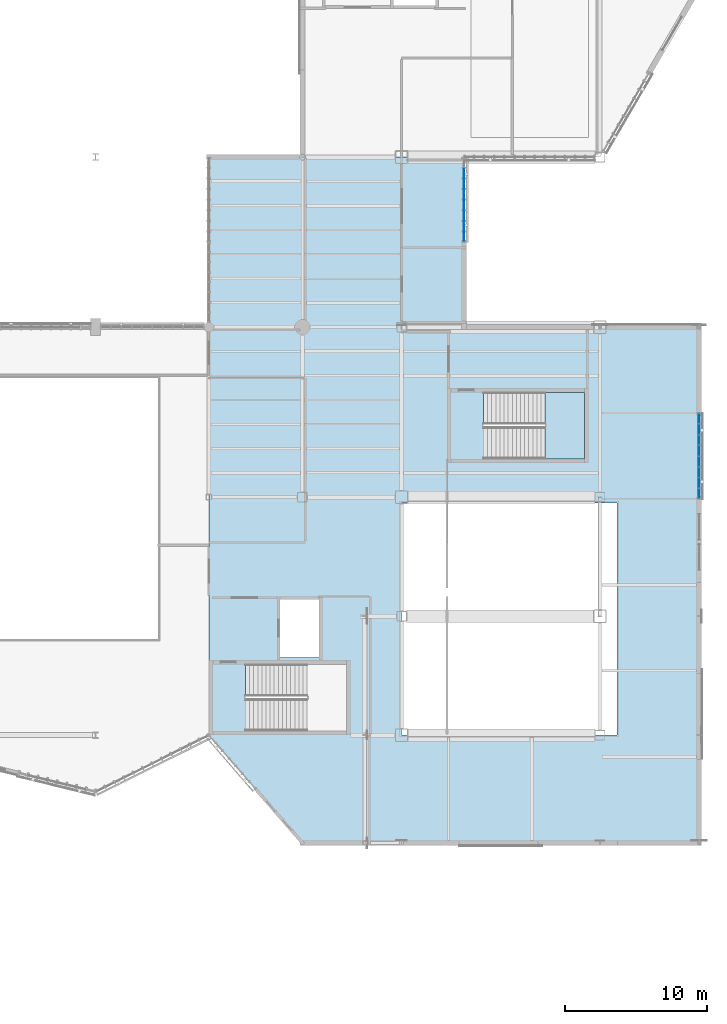
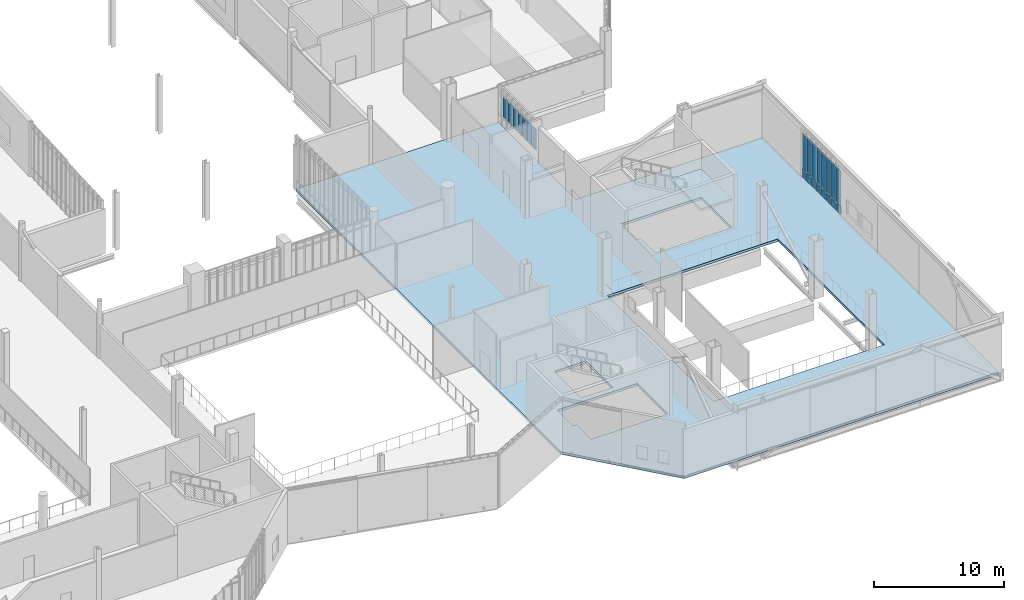
# One storey, part 76 of 127: 23 plates, 2 slabs, 3 elements without a shape of their own.
"""IFC4 building model written with IfcOpenShell, lengths in metres."""

from ifc_helpers import new_model, si_unit, direction, frame, origin, origin_2d, place, context, subcontext, project, spatial, polyline, rectangle, outline, extrude, material, layer, layer_set, type_object, element, aggregate, save


model = new_model("IFC4")

# Units and contexts
model_context = context("Model", 3, precision=1e-05, world=origin(), true_north=direction((0.0, 1.0)))
body_context = subcontext(model_context, "Body", "Model", "MODEL_VIEW")
ifc_project = project(units=[si_unit("LENGTHUNIT", "METRE"), si_unit("AREAUNIT", "SQUARE_METRE"), si_unit("VOLUMEUNIT", "CUBIC_METRE"), si_unit("PLANEANGLEUNIT", "RADIAN"), si_unit("MASSUNIT", "GRAM", prefix="KILO")], contexts=[model_context])

# Site, building, storey
site_placement = place(None, origin())
site = spatial("IfcSite", under=ifc_project, at=site_placement, CompositionType="ELEMENT")
building_placement = place(site_placement, origin())
building = spatial("IfcBuilding", under=site, at=building_placement, Name="Larkvane Passage Sports Hall", CompositionType="ELEMENT")
storey_placement = place(building_placement, frame((0.0, 0.0, 5.39990234375)))
storey = spatial("IfcBuildingStorey", under=building, at=storey_placement, Name="L01", CompositionType="ELEMENT", Elevation=5.39990234375)

# Curtain wall, plates
ifc_material_1 = material(Name="Thermally broken aluminium and low-E glazing", Category="aluminium")
curtain_wall_type_1 = type_object("IfcCurtainWallType", Name="CW-UNIT-COURT", PredefinedType="USERDEFINED", material=ifc_material_1)
curtain_wall_1_placement = place(storey_placement, origin())
curtain_wall_1 = element("IfcCurtainWall", 1, at=curtain_wall_1_placement, inside=storey, type_object=curtain_wall_type_1, Name="Curtain wall CW5-L01-060", ObjectType="UNITISED CURTAIN WALL", PredefinedType="USERDEFINED")
ifc_material_2 = material(Name="Insulated aluminium spandrel panel", Category="aluminium")
ifc_layer_1 = layer(ifc_material_2, 0.06494140625)
ifc_layer_set_1 = layer_set([ifc_layer_1], Name="Insulated aluminium spandrel panel")
plate_type_1 = type_object("IfcPlateType", Name="CWP-SPD-65", PredefinedType="CURTAIN_PANEL", material=ifc_layer_set_1)
plate_1_placement = place(storey_placement, frame((152.60009765625, 45.13916015625, 0.06005859375), z_axis=(0.0, 0.0, 1.0), x_axis=(0.0, -1.0, 0.0)))
plate_1 = element("IfcPlate", 2, at=plate_1_placement, type_object=plate_type_1, Name="CW-01 panel 1.1", PredefinedType="CURTAIN_PANEL", context=body_context, shape_type="SweptSolid", body=[
    extrude(rectangle(XDim=0.668212890625, YDim=0.06494140625, at=origin_2d()), origin(), (0.0, 0.0, 1.0), 0.760009765625),
])
plate_2_placement = place(storey_placement, frame((152.60009765625, 44.395751953125, 0.06005859375), z_axis=(0.0, 0.0, 1.0), x_axis=(0.0, -1.0, 0.0)))
plate_2 = element("IfcPlate", 3, at=plate_2_placement, type_object=plate_type_1, Name="CW-01 panel 2.1", PredefinedType="CURTAIN_PANEL", context=body_context, shape_type="SweptSolid", body=[
    extrude(rectangle(XDim=0.6982421875, YDim=0.06494140625, at=origin_2d()), origin(), (0.0, 0.0, 1.0), 0.760009765625),
])
plate_3_placement = place(storey_placement, frame((152.60009765625, 43.637451171875, 0.06005859375), z_axis=(0.0, 0.0, 1.0), x_axis=(0.0, -1.0, 0.0)))
plate_3 = element("IfcPlate", 4, at=plate_3_placement, type_object=plate_type_1, Name="CW-01 panel 3.1", PredefinedType="CURTAIN_PANEL", context=body_context, shape_type="SweptSolid", body=[
    extrude(rectangle(XDim=0.6982421875, YDim=0.06494140625, at=origin_2d()), origin(), (0.0, 0.0, 1.0), 0.760009765625),
])
plate_4_placement = place(storey_placement, frame((152.60009765625, 42.879150390625, 0.06005859375), z_axis=(0.0, 0.0, 1.0), x_axis=(0.0, -1.0, 0.0)))
plate_4 = element("IfcPlate", 5, at=plate_4_placement, type_object=plate_type_1, Name="CW-01 panel 4.1", PredefinedType="CURTAIN_PANEL", context=body_context, shape_type="SweptSolid", body=[
    extrude(rectangle(XDim=0.6982421875, YDim=0.06494140625, at=origin_2d()), origin(), (0.0, 0.0, 1.0), 0.760009765625),
])
plate_5_placement = place(storey_placement, frame((152.60009765625, 42.120849609375, 0.06005859375), z_axis=(0.0, 0.0, 1.0), x_axis=(0.0, -1.0, 0.0)))
plate_5 = element("IfcPlate", 6, at=plate_5_placement, type_object=plate_type_1, Name="CW-01 panel 5.1", PredefinedType="CURTAIN_PANEL", context=body_context, shape_type="SweptSolid", body=[
    extrude(rectangle(XDim=0.6982421875, YDim=0.06494140625, at=origin_2d()), origin(), (0.0, 0.0, 1.0), 0.760009765625),
])
plate_6_placement = place(storey_placement, frame((152.60009765625, 41.362548828125, 0.06005859375), z_axis=(0.0, 0.0, 1.0), x_axis=(0.0, -1.0, 0.0)))
plate_6 = element("IfcPlate", 7, at=plate_6_placement, type_object=plate_type_1, Name="CW-01 panel 6.1", PredefinedType="CURTAIN_PANEL", context=body_context, shape_type="SweptSolid", body=[
    extrude(rectangle(XDim=0.6982421875, YDim=0.06494140625, at=origin_2d()), origin(), (0.0, 0.0, 1.0), 0.760009765625),
])
plate_7_placement = place(storey_placement, frame((152.60009765625, 40.604248046875, 0.06005859375), z_axis=(0.0, 0.0, 1.0), x_axis=(0.0, -1.0, 0.0)))
plate_7 = element("IfcPlate", 8, at=plate_7_placement, type_object=plate_type_1, Name="CW-01 panel 7.1", PredefinedType="CURTAIN_PANEL", context=body_context, shape_type="SweptSolid", body=[
    extrude(rectangle(XDim=0.6982421875, YDim=0.06494140625, at=origin_2d()), origin(), (0.0, 0.0, 1.0), 0.760009765625),
])
plate_8_placement = place(storey_placement, frame((152.60009765625, 39.86083984375, 0.06005859375), z_axis=(0.0, 0.0, 1.0), x_axis=(0.0, -1.0, 0.0)))
plate_8 = element("IfcPlate", 9, at=plate_8_placement, type_object=plate_type_1, Name="CW-01 panel 8.1", PredefinedType="CURTAIN_PANEL", context=body_context, shape_type="SweptSolid", body=[
    extrude(rectangle(XDim=0.668212890625, YDim=0.06494140625, at=origin_2d()), origin(), (0.0, 0.0, 1.0), 0.760009765625),
])
ifc_material_3 = material(Name="Solar-control low-E double glazing", Category="glass")
ifc_layer_2 = layer(ifc_material_3, 0.028076171875)
ifc_layer_set_2 = layer_set([ifc_layer_2], Name="Solar-control low-E double glazing")
plate_type_2 = type_object("IfcPlateType", Name="CWP-VIS-28", PredefinedType="CURTAIN_PANEL", material=ifc_layer_set_2)
plate_9_placement = place(storey_placement, frame((152.60009765625, 45.13916015625, 0.880126953125), z_axis=(0.0, 0.0, 1.0), x_axis=(0.0, -1.0, 0.0)))
plate_9 = element("IfcPlate", 10, at=plate_9_placement, type_object=plate_type_2, Name="CW-01 panel 1.2", PredefinedType="CURTAIN_PANEL", context=body_context, shape_type="SweptSolid", body=[
    extrude(rectangle(XDim=0.668212890625, YDim=0.028076171875, at=origin_2d()), origin(), (0.0, 0.0, 1.0), 3.2880859375),
])
plate_10_placement = place(storey_placement, frame((152.60009765625, 44.395751953125, 0.880126953125), z_axis=(0.0, 0.0, 1.0), x_axis=(0.0, -1.0, 0.0)))
plate_10 = element("IfcPlate", 11, at=plate_10_placement, type_object=plate_type_2, Name="CW-01 panel 2.2", PredefinedType="CURTAIN_PANEL", context=body_context, shape_type="SweptSolid", body=[
    extrude(rectangle(XDim=0.6982421875, YDim=0.028076171875, at=origin_2d()), origin(), (0.0, 0.0, 1.0), 3.2880859375),
])
plate_11_placement = place(storey_placement, frame((152.60009765625, 43.637451171875, 0.880126953125), z_axis=(0.0, 0.0, 1.0), x_axis=(0.0, -1.0, 0.0)))
plate_11 = element("IfcPlate", 12, at=plate_11_placement, type_object=plate_type_2, Name="CW-01 panel 3.2", PredefinedType="CURTAIN_PANEL", context=body_context, shape_type="SweptSolid", body=[
    extrude(rectangle(XDim=0.6982421875, YDim=0.028076171875, at=origin_2d()), origin(), (0.0, 0.0, 1.0), 3.2880859375),
])
plate_12_placement = place(storey_placement, frame((152.60009765625, 42.879150390625, 0.880126953125), z_axis=(0.0, 0.0, 1.0), x_axis=(0.0, -1.0, 0.0)))
plate_12 = element("IfcPlate", 13, at=plate_12_placement, type_object=plate_type_2, Name="CW-01 panel 4.2", PredefinedType="CURTAIN_PANEL", context=body_context, shape_type="SweptSolid", body=[
    extrude(rectangle(XDim=0.6982421875, YDim=0.028076171875, at=origin_2d()), origin(), (0.0, 0.0, 1.0), 3.2880859375),
])
plate_13_placement = place(storey_placement, frame((152.60009765625, 42.120849609375, 0.880126953125), z_axis=(0.0, 0.0, 1.0), x_axis=(0.0, -1.0, 0.0)))
plate_13 = element("IfcPlate", 14, at=plate_13_placement, type_object=plate_type_2, Name="CW-01 panel 5.2", PredefinedType="CURTAIN_PANEL", context=body_context, shape_type="SweptSolid", body=[
    extrude(rectangle(XDim=0.6982421875, YDim=0.028076171875, at=origin_2d()), origin(), (0.0, 0.0, 1.0), 3.2880859375),
])
plate_14_placement = place(storey_placement, frame((152.60009765625, 41.362548828125, 0.880126953125), z_axis=(0.0, 0.0, 1.0), x_axis=(0.0, -1.0, 0.0)))
plate_14 = element("IfcPlate", 15, at=plate_14_placement, type_object=plate_type_2, Name="CW-01 panel 6.2", PredefinedType="CURTAIN_PANEL", context=body_context, shape_type="SweptSolid", body=[
    extrude(rectangle(XDim=0.6982421875, YDim=0.028076171875, at=origin_2d()), origin(), (0.0, 0.0, 1.0), 3.2880859375),
])
plate_15_placement = place(storey_placement, frame((152.60009765625, 40.604248046875, 0.880126953125), z_axis=(0.0, 0.0, 1.0), x_axis=(0.0, -1.0, 0.0)))
plate_15 = element("IfcPlate", 16, at=plate_15_placement, type_object=plate_type_2, Name="CW-01 panel 7.2", PredefinedType="CURTAIN_PANEL", context=body_context, shape_type="SweptSolid", body=[
    extrude(rectangle(XDim=0.6982421875, YDim=0.028076171875, at=origin_2d()), origin(), (0.0, 0.0, 1.0), 3.2880859375),
])
plate_16_placement = place(storey_placement, frame((152.60009765625, 39.86083984375, 0.880126953125), z_axis=(0.0, 0.0, 1.0), x_axis=(0.0, -1.0, 0.0)))
plate_16 = element("IfcPlate", 17, at=plate_16_placement, type_object=plate_type_2, Name="CW-01 panel 8.2", PredefinedType="CURTAIN_PANEL", context=body_context, shape_type="SweptSolid", body=[
    extrude(rectangle(XDim=0.668212890625, YDim=0.028076171875, at=origin_2d()), origin(), (0.0, 0.0, 1.0), 3.2880859375),
])
aggregate(curtain_wall_1, [plate_1, plate_9, plate_2, plate_10, plate_3, plate_11, plate_4, plate_12, plate_5, plate_13, plate_6, plate_14, plate_7, plate_15, plate_8, plate_16])

curtain_wall_type_2 = type_object("IfcCurtainWallType", Name="CW-CLINIC", PredefinedType="USERDEFINED", material=ifc_material_1)
curtain_wall_2_placement = place(storey_placement, origin())
curtain_wall_2 = element("IfcCurtainWall", 18, at=curtain_wall_2_placement, inside=storey, type_object=curtain_wall_type_2, Name="Curtain wall CW5-L01-059", ObjectType="UNITISED CURTAIN WALL", PredefinedType="USERDEFINED")
ifc_material_4 = material(Name="Triple-laminated typhoon glazing", Category="glass")
ifc_layer_3 = layer(ifc_material_4, 0.0419921875)
ifc_layer_set_3 = layer_set([ifc_layer_3], Name="Triple-laminated typhoon glazing")
plate_type_3 = type_object("IfcPlateType", Name="CWP-VIS-42", PredefinedType="CURTAIN_PANEL", material=ifc_layer_set_3)
plate_17_placement = place(storey_placement, frame((136.0, 62.47509765625, 0.89990234375), z_axis=(0.0, 0.0, 1.0), x_axis=(0.0, -1.0, 0.0)))
plate_17 = element("IfcPlate", 19, at=plate_17_placement, type_object=plate_type_3, Name="CW-05 panel 2.2", PredefinedType="CURTAIN_PANEL", context=body_context, shape_type="SweptSolid", body=[
    extrude(rectangle(XDim=0.64990234375, YDim=0.0419921875, at=origin_2d()), origin(), (0.0, 0.0, 1.0), 1.968017578125),
])
plate_18_placement = place(storey_placement, frame((136.0, 61.72509765625, 0.89990234375), z_axis=(0.0, 0.0, 1.0), x_axis=(0.0, -1.0, 0.0)))
plate_18 = element("IfcPlate", 20, at=plate_18_placement, type_object=plate_type_3, Name="CW-05 panel 3.2", PredefinedType="CURTAIN_PANEL", context=body_context, shape_type="SweptSolid", body=[
    extrude(rectangle(XDim=0.64990234375, YDim=0.0419921875, at=origin_2d()), origin(), (0.0, 0.0, 1.0), 1.968017578125),
])
plate_19_placement = place(storey_placement, frame((136.0, 60.97509765625, 0.89990234375), z_axis=(0.0, 0.0, 1.0), x_axis=(0.0, -1.0, 0.0)))
plate_19 = element("IfcPlate", 21, at=plate_19_placement, type_object=plate_type_3, Name="CW-05 panel 4.2", PredefinedType="CURTAIN_PANEL", context=body_context, shape_type="SweptSolid", body=[
    extrude(rectangle(XDim=0.64990234375, YDim=0.0419921875, at=origin_2d()), origin(), (0.0, 0.0, 1.0), 1.968017578125),
])
plate_20_placement = place(storey_placement, frame((136.0, 60.22509765625, 0.89990234375), z_axis=(0.0, 0.0, 1.0), x_axis=(0.0, -1.0, 0.0)))
plate_20 = element("IfcPlate", 22, at=plate_20_placement, type_object=plate_type_3, Name="CW-05 panel 5.2", PredefinedType="CURTAIN_PANEL", context=body_context, shape_type="SweptSolid", body=[
    extrude(rectangle(XDim=0.64990234375, YDim=0.0419921875, at=origin_2d()), origin(), (0.0, 0.0, 1.0), 1.968017578125),
])
plate_21_placement = place(storey_placement, frame((136.0, 59.47509765625, 0.89990234375), z_axis=(0.0, 0.0, 1.0), x_axis=(0.0, -1.0, 0.0)))
plate_21 = element("IfcPlate", 23, at=plate_21_placement, type_object=plate_type_3, Name="CW-05 panel 6.2", PredefinedType="CURTAIN_PANEL", context=body_context, shape_type="SweptSolid", body=[
    extrude(rectangle(XDim=0.64990234375, YDim=0.0419921875, at=origin_2d()), origin(), (0.0, 0.0, 1.0), 1.968017578125),
])
plate_22_placement = place(storey_placement, frame((136.0, 58.72509765625, 0.89990234375), z_axis=(0.0, 0.0, 1.0), x_axis=(0.0, -1.0, 0.0)))
plate_22 = element("IfcPlate", 24, at=plate_22_placement, type_object=plate_type_3, Name="CW-05 panel 7.2", PredefinedType="CURTAIN_PANEL", context=body_context, shape_type="SweptSolid", body=[
    extrude(rectangle(XDim=0.64990234375, YDim=0.0419921875, at=origin_2d()), origin(), (0.0, 0.0, 1.0), 1.968017578125),
])
plate_23_placement = place(storey_placement, frame((136.0, 58.0, 0.89990234375), z_axis=(0.0, 0.0, 1.0), x_axis=(0.0, -1.0, 0.0)))
plate_23 = element("IfcPlate", 25, at=plate_23_placement, type_object=plate_type_3, Name="CW-05 panel 8.2", PredefinedType="CURTAIN_PANEL", context=body_context, shape_type="SweptSolid", body=[
    extrude(rectangle(XDim=0.60009765625, YDim=0.0419921875, at=origin_2d()), origin(), (0.0, 0.0, 1.0), 1.968017578125),
])
aggregate(curtain_wall_2, [plate_17, plate_18, plate_19, plate_20, plate_21, plate_22, plate_23])

# Slab
ifc_material_5 = material(Name="Concrete C40/50", Category="concrete")
ifc_layer_4 = layer(ifc_material_5, 0.22998046875)
ifc_layer_set_4 = layer_set([ifc_layer_4], Name="Concrete C40/50")
slab_type_1 = type_object("IfcSlabType", Name="SLB-FLR-230", PredefinedType="FLOOR", material=ifc_layer_set_4)
slab_1_placement = place(storey_placement, frame((0.0, 0.0, -0.22998046875)))
element("IfcSlab", 26, at=slab_1_placement, inside=storey, type_object=slab_type_1, Name="Structural floor slab SLAB-L01-V2", PredefinedType="FLOOR", context=body_context, shape_type="SweptSolid", body=[
    extrude(outline(polyline([(118.0, 22.800048828125), (124.60009765625, 15.199951171875), (152.60009765625, 15.199951171875), (152.60009765625, 51.60009765625), (136.0, 51.60009765625), (136.0, 63.60009765625), (118.0, 63.60009765625), (118.0, 22.800048828125)]), holes=[polyline([(120.8798828125, 23.10009765625), (120.8798828125, 25.35009765625), (120.58056640625, 25.35009765625), (120.58056640625, 27.800048828125), (127.699951171875, 27.800048828125), (127.699951171875, 23.10009765625), (120.8798828125, 23.10009765625)]), polyline([(137.679931640625, 42.300048828125), (137.679931640625, 44.550048828125), (137.380615234375, 44.550048828125), (137.380615234375, 47.0), (144.5, 47.0), (144.5, 42.300048828125), (137.679931640625, 42.300048828125)]), polyline([(123.0, 32.39990234375), (125.800048828125, 32.39990234375), (125.800048828125, 28.300048828125), (123.0, 28.300048828125), (123.0, 32.39990234375)]), polyline([(131.60009765625, 39.199951171875), (146.800048828125, 39.199951171875), (146.800048828125, 22.800048828125), (131.60009765625, 22.800048828125), (131.60009765625, 39.199951171875)])]), origin(), (0.0, 0.0, 1.0), 0.22998046875),
])

# Stair, slab
stair_type = type_object("IfcStairType", Name="STR-CORE-2250", PredefinedType="HALF_TURN_STAIR", material=ifc_material_5)
stair_placement = place(storey_placement, origin())
stair = element("IfcStair", 27, at=stair_placement, inside=storey, type_object=stair_type, Name="L01 Protected exit stair ST-07", PredefinedType="HALF_TURN_STAIR")
ifc_layer_5 = layer(ifc_material_5, 0.199951171875)
ifc_layer_set_5 = layer_set([ifc_layer_5], Name="Concrete C40/50")
slab_type_2 = type_object("IfcSlabType", Name="SLB-LAND-200", PredefinedType="LANDING", material=ifc_layer_set_5)
slab_2_placement = place(storey_placement, frame((0.0, 0.0, 2.5)))
slab_2 = element("IfcSlab", 28, at=slab_2_placement, type_object=slab_type_2, Name="ST-07 landing 1", PredefinedType="LANDING", context=body_context, shape_type="SweptSolid", body=[
    extrude(outline(polyline([(141.72998046875, 42.300048828125), (144.5, 42.300048828125), (144.5, 47.0), (141.72998046875, 47.0), (141.72998046875, 42.300048828125)])), origin(), (0.0, 0.0, 1.0), 0.2001953125),
])
aggregate(stair, [slab_2])

save(model, "model.ifc")
